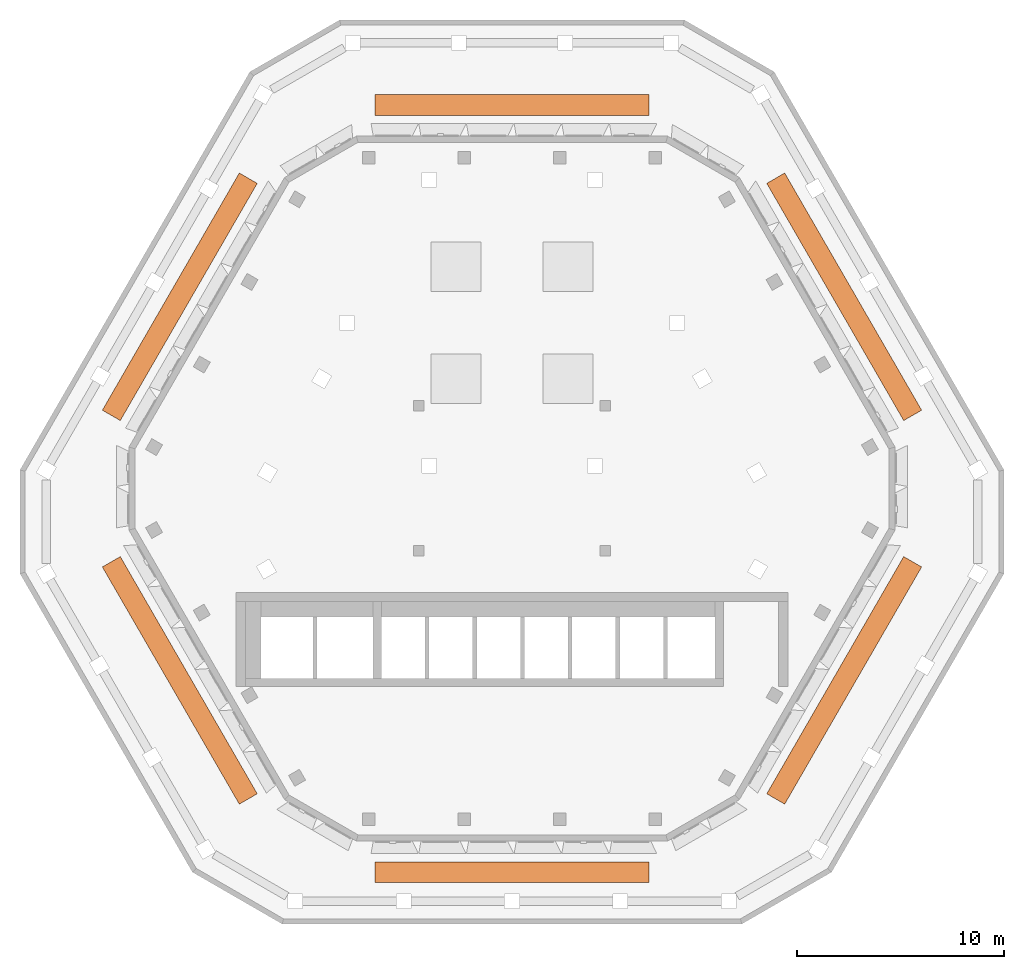
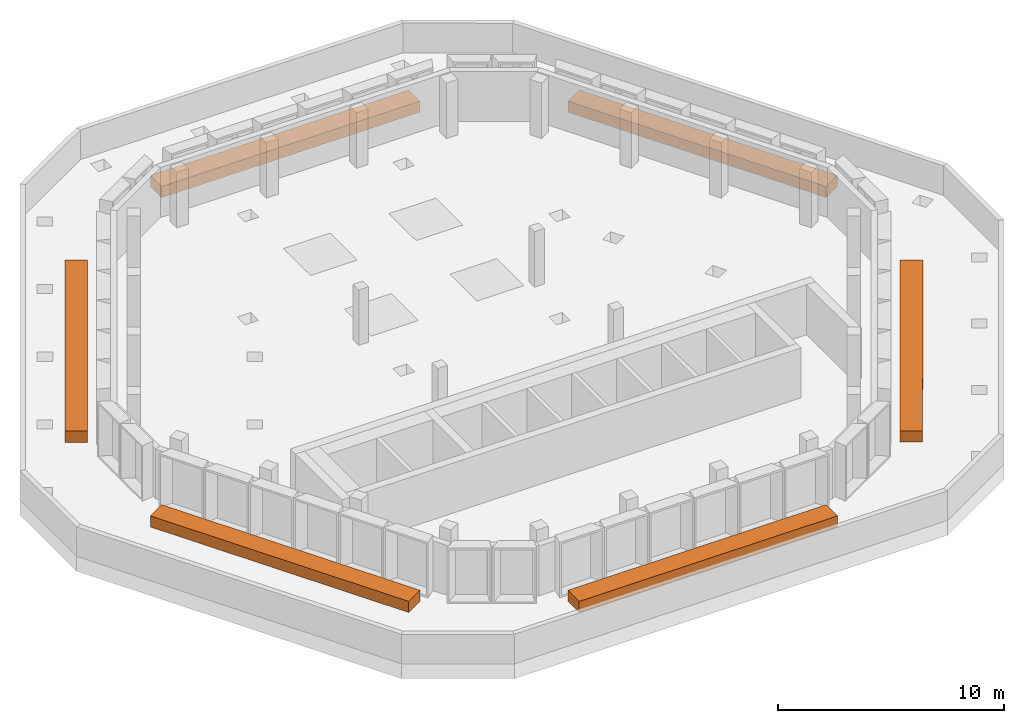
# One storey, part 5 of 5: 6 proxies.
"""IFC4 building model written with IfcOpenShell, lengths in metres."""

from ifc_helpers import new_model, si_unit, direction, frame, origin, place, context, subcontext, project, spatial, polyline, outline, extrude, material, type_object, element, save


model = new_model("IFC4")

# Units and contexts
model_context = context("Model", 3, precision=1e-05, world=origin(), true_north=direction((0.0, 1.0)))
body_context = subcontext(model_context, "Body", "Model", "MODEL_VIEW")
ifc_project = project(units=[si_unit("LENGTHUNIT", "METRE"), si_unit("AREAUNIT", "SQUARE_METRE"), si_unit("VOLUMEUNIT", "CUBIC_METRE"), si_unit("PLANEANGLEUNIT", "RADIAN"), si_unit("MASSUNIT", "GRAM", prefix="KILO")], contexts=[model_context])

# Site, building, storey
site_placement = place(None, origin())
site = spatial("IfcSite", under=ifc_project, at=site_placement, CompositionType="ELEMENT")
building_placement = place(site_placement, origin())
building = spatial("IfcBuilding", under=site, at=building_placement, Name="Beryl Residences", CompositionType="ELEMENT")
storey_placement = place(building_placement, frame((0.0, 0.0, 244.800048828125)))
storey = spatial("IfcBuildingStorey", under=building, at=storey_placement, Name="L76", CompositionType="ELEMENT", Elevation=244.800048828125)

# Proxies
ifc_material = material(Name="Planting soil in precast concrete C40/50 trough", Category="concrete")
building_element_proxy_type = type_object("IfcBuildingElementProxyType", Name="PL1 planter bed 600 mm", PredefinedType="USERDEFINED", material=ifc_material)
proxy_1_placement = place(storey_placement, origin())
element("IfcBuildingElementProxy", 1, at=proxy_1_placement, inside=storey, type_object=building_element_proxy_type, Name="PL1 planter bed L76 N roof", ObjectType="PLANTER", PredefinedType="USERDEFINED", context=body_context, shape_type="SweptSolid", body=[
    extrude(outline(polyline([(6.60595703125, 19.0), (-6.60595703125, 19.0), (-6.60595703125, 18.0), (6.60595703125, 18.0), (6.60595703125, 19.0)])), origin(), (0.0, 0.0, 1.0), 0.599853515625),
])
proxy_2_placement = place(storey_placement, origin())
element("IfcBuildingElementProxy", 2, at=proxy_2_placement, inside=storey, type_object=building_element_proxy_type, Name="PL1 planter bed L76 NW roof", ObjectType="PLANTER", PredefinedType="USERDEFINED", context=body_context, shape_type="SweptSolid", body=[
    extrude(outline(polyline([(-13.152099609375, 15.219970703125), (-19.758056640625, 3.780029296875), (-18.89208984375, 3.280029296875), (-12.285888671875, 14.719970703125), (-13.152099609375, 15.219970703125)])), origin(), (0.0, 0.0, 1.0), 0.599853515625),
])
proxy_3_placement = place(storey_placement, origin())
element("IfcBuildingElementProxy", 3, at=proxy_3_placement, inside=storey, type_object=building_element_proxy_type, Name="PL1 planter bed L76 SW roof", ObjectType="PLANTER", PredefinedType="USERDEFINED", context=body_context, shape_type="SweptSolid", body=[
    extrude(outline(polyline([(-19.758056640625, -3.780029296875), (-13.152099609375, -15.219970703125), (-12.285888671875, -14.719970703125), (-18.89208984375, -3.280029296875), (-19.758056640625, -3.780029296875)])), origin(), (0.0, 0.0, 1.0), 0.599853515625),
])
proxy_4_placement = place(storey_placement, origin())
element("IfcBuildingElementProxy", 4, at=proxy_4_placement, inside=storey, type_object=building_element_proxy_type, Name="PL1 planter bed L76 S roof", ObjectType="PLANTER", PredefinedType="USERDEFINED", context=body_context, shape_type="SweptSolid", body=[
    extrude(outline(polyline([(-6.60595703125, -19.0), (6.60595703125, -19.0), (6.60595703125, -18.0), (-6.60595703125, -18.0), (-6.60595703125, -19.0)])), origin(), (0.0, 0.0, 1.0), 0.599853515625),
])
proxy_5_placement = place(storey_placement, origin())
element("IfcBuildingElementProxy", 5, at=proxy_5_placement, inside=storey, type_object=building_element_proxy_type, Name="PL1 planter bed L76 SE roof", ObjectType="PLANTER", PredefinedType="USERDEFINED", context=body_context, shape_type="SweptSolid", body=[
    extrude(outline(polyline([(13.152099609375, -15.219970703125), (19.758056640625, -3.780029296875), (18.89208984375, -3.280029296875), (12.285888671875, -14.719970703125), (13.152099609375, -15.219970703125)])), origin(), (0.0, 0.0, 1.0), 0.599853515625),
])
proxy_6_placement = place(storey_placement, origin())
element("IfcBuildingElementProxy", 6, at=proxy_6_placement, inside=storey, type_object=building_element_proxy_type, Name="PL1 planter bed L76 NE roof", ObjectType="PLANTER", PredefinedType="USERDEFINED", context=body_context, shape_type="SweptSolid", body=[
    extrude(outline(polyline([(19.758056640625, 3.780029296875), (13.152099609375, 15.219970703125), (12.285888671875, 14.719970703125), (18.89208984375, 3.280029296875), (19.758056640625, 3.780029296875)])), origin(), (0.0, 0.0, 1.0), 0.599853515625),
])

save(model, "model.ifc")
